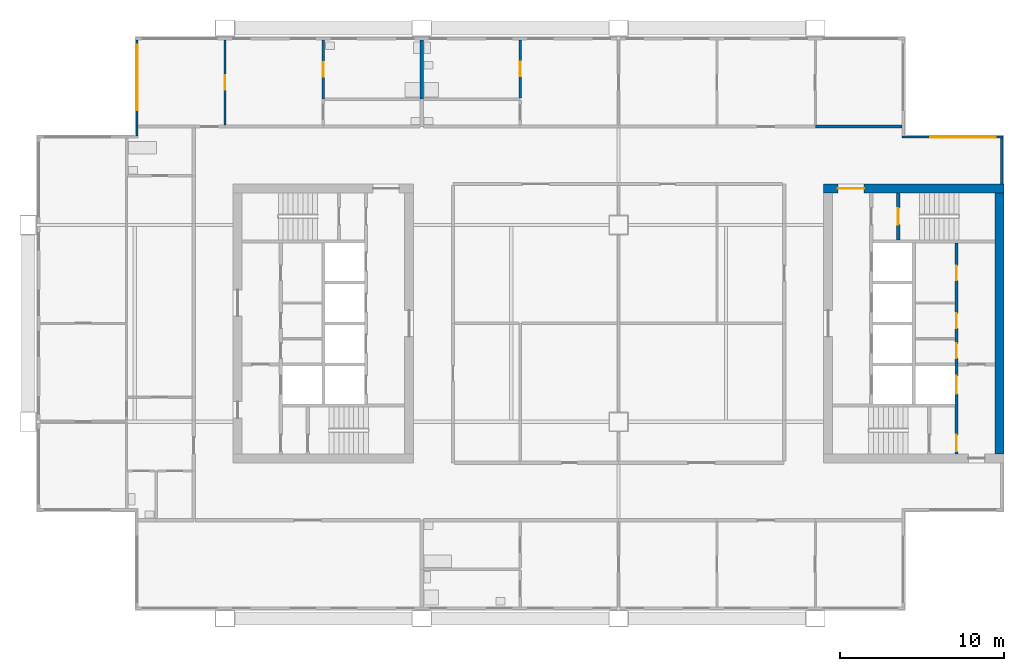
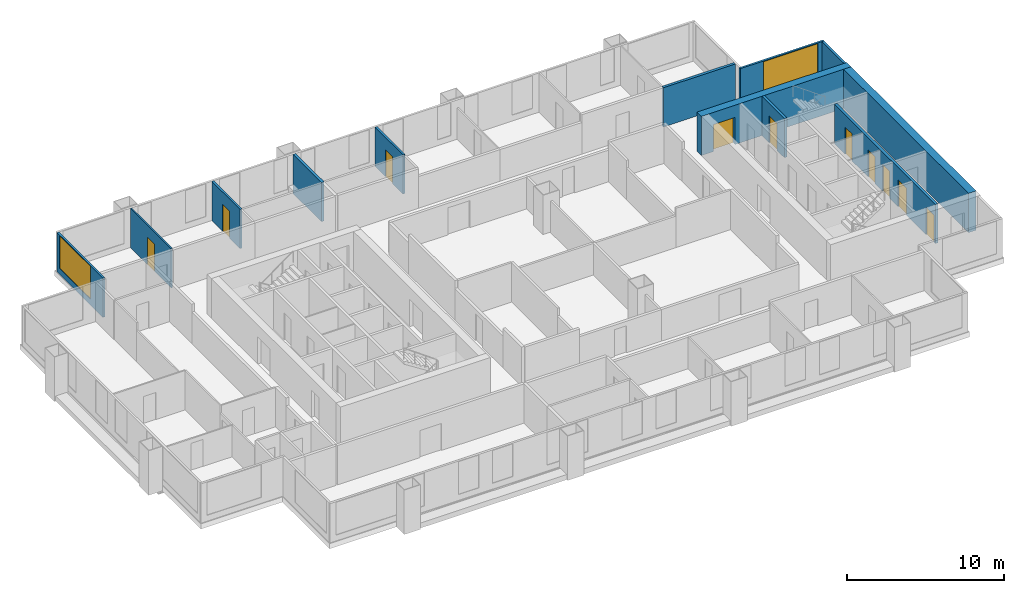
# One storey, part 6 of 9: 12 walls, 10 doors, 2 windows, 12 openings.
"""IFC4 building model written with IfcOpenShell, lengths in metres."""

from ifc_helpers import new_model, si_unit, direction, frame, frame_2d, origin, place, context, subcontext, project, spatial, rectangle, extrude, material, layer, layer_set, type_object, element, fill, save


model = new_model("IFC4")

# Units and contexts
model_context = context("Model", 3, precision=1e-05, world=origin(), true_north=direction((0.0, 1.0)))
body_context = subcontext(model_context, "Body", "Model", "MODEL_VIEW")
ifc_project = project(units=[si_unit("LENGTHUNIT", "METRE"), si_unit("AREAUNIT", "SQUARE_METRE"), si_unit("VOLUMEUNIT", "CUBIC_METRE"), si_unit("PLANEANGLEUNIT", "RADIAN"), si_unit("MASSUNIT", "GRAM", prefix="KILO")], contexts=[model_context])

# Site, building, storey
site_placement = place(None, origin())
site = spatial("IfcSite", under=ifc_project, at=site_placement, CompositionType="ELEMENT")
building_placement = place(site_placement, origin())
building = spatial("IfcBuilding", under=site, at=building_placement, Name="Kitamizu Gate Tower and Museum", CompositionType="ELEMENT")
storey_placement = place(building_placement, frame((0.0, 0.0, 206.550048828125)))
storey = spatial("IfcBuildingStorey", under=building, at=storey_placement, Name="L55", CompositionType="ELEMENT", Elevation=206.550048828125)

# Wall, opening, door
ifc_material_1 = material(Name="Concrete Fc42", Category="concrete")
ifc_layer_1 = layer(ifc_material_1, 0.550048828125)
ifc_layer_set_1 = layer_set([ifc_layer_1], Name="Concrete Fc42")
wall_type_1 = type_object("IfcWallType", Name="Core wall 550", PredefinedType="SHEAR", material=ifc_layer_set_1)
wall_1_placement = place(storey_placement, frame((59.5, 38.22509765625, 0.0), z_axis=(0.0, 0.0, 1.0), x_axis=(-1.0, 0.0, 0.0)))
wall_1 = element("IfcWall", 1, at=wall_1_placement, inside=storey, type_object=wall_type_1, Name="Core wall EN", PredefinedType="SHEAR", context=body_context, shape_type="SweptSolid", body=[
    extrude(rectangle(XDim=11.0, YDim=0.550048828125, at=frame_2d((5.5, 0.0))), origin(), (0.0, 0.0, 1.0), 3.050048828125),
])
opening_1_placement = place(wall_1_placement, frame((8.52490234375, 0.0, 0.0)))
opening_1 = element("IfcOpeningElement", 2, at=opening_1_placement, cuts=wall_1, Name="Opening L55-050", PredefinedType="OPENING", context=body_context, shape_type="SweptSolid", body=[
    extrude(rectangle(XDim=1.60009765625, YDim=2.10009765625, at=frame_2d((0.800048828125, 1.050048828125))), frame((0.0, 0.28515625, 0.0), z_axis=(0.0, -1.0, 0.0), x_axis=(1.0, 0.0, 0.0)), (0.0, 0.0, 1.0), 0.570068359375),
])
ifc_material_2 = material(Name="Timber door set", Category="wood")
door_type_1 = type_object("IfcDoorType", Name="Entrance door 1600", OperationType="DOUBLE_DOOR_SINGLE_SWING", PredefinedType="DOOR", material=ifc_material_2)
door_1_placement = place(opening_1_placement, origin())
door_1 = element("IfcDoor", 3, at=door_1_placement, inside=storey, type_object=door_type_1, Name="Lobby door L55-050", OperationType="DOUBLE_DOOR_SINGLE_SWING", OverallHeight=2.10009765625, OverallWidth=1.60009765625, PredefinedType="DOOR", context=body_context, shape_type="SweptSolid", body=[
    extrude(rectangle(XDim=1.60009765625, YDim=2.10009765625, at=frame_2d((0.800048828125, 1.050048828125))), frame((0.0, 0.02490234375, 0.0), z_axis=(0.0, -1.0, 0.0), x_axis=(1.0, 0.0, 0.0)), (0.0, 0.0, 1.0), 0.050048828125),
])
fill(opening_1, door_1)

# Wall
wall_2_placement = place(storey_placement, frame((59.22509765625, 22.050048828125, 0.0), z_axis=(0.0, 0.0, 1.0), x_axis=(0.0, 1.0, 0.0)))
element("IfcWall", 4, at=wall_2_placement, inside=storey, type_object=wall_type_1, Name="Core wall EOUT", PredefinedType="SHEAR", context=body_context, shape_type="SweptSolid", body=[
    extrude(rectangle(XDim=15.89990234375, YDim=0.550048828125, at=frame_2d((7.949951171875, 0.0))), origin(), (0.0, 0.0, 1.0), 3.050048828125),
])

# Wall, opening, door
ifc_material_3 = material(Name="Gypsum board on galvanised stud")
ifc_layer_2 = layer(ifc_material_3, 0.10009765625)
ifc_layer_set_2 = layer_set([ifc_layer_2], Name="Gypsum board on galvanised stud")
wall_type_2 = type_object("IfcWallType", Name="Partition 100 NOT RATED", PredefinedType="PARTITIONING", material=ifc_layer_set_2)
wall_3_placement = place(storey_placement, frame((12.0, 42.10009765625, 0.0), z_axis=(0.0, 0.0, 1.0), x_axis=(0.0, 1.0, 0.0)))
wall_3 = element("IfcWall", 5, at=wall_3_placement, inside=storey, type_object=wall_type_2, Name="Partition L55-014", PredefinedType="PARTITIONING", context=body_context, shape_type="SweptSolid", body=[
    extrude(rectangle(XDim=5.179931640625, YDim=0.10009765625, at=frame_2d((2.58984375, 0.0))), origin(), (0.0, 0.0, 1.0), 3.050048828125),
])
opening_2_placement = place(wall_3_placement, frame((2.139892578125, 0.0, 0.0)))
opening_2 = element("IfcOpeningElement", 6, at=opening_2_placement, cuts=wall_3, Name="Opening L55-008", PredefinedType="OPENING", context=body_context, shape_type="SweptSolid", body=[
    extrude(rectangle(XDim=0.89990234375, YDim=2.10009765625, at=frame_2d((0.449951171875, 1.050048828125))), frame((0.0, 0.06005859375, 0.0), z_axis=(0.0, -1.0, 0.0), x_axis=(1.0, 0.0, 0.0)), (0.0, 0.0, 1.0), 0.1201171875),
])
ifc_material_4 = material(Name="Timber door set", Category="wood")
door_type_2 = type_object("IfcDoorType", Name="Room door 900", OperationType="NOTDEFINED", PredefinedType="DOOR", material=ifc_material_4)
door_2_placement = place(opening_2_placement, frame((0.89990234375, 0.0, 0.0), x_axis=(-1.0, 0.0, 0.0)))
door_2 = element("IfcDoor", 7, at=door_2_placement, inside=storey, type_object=door_type_2, Name="Door L55-008", OperationType="SINGLE_SWING_LEFT", OverallHeight=2.10009765625, OverallWidth=0.89990234375, PredefinedType="DOOR", context=body_context, shape_type="SweptSolid", body=[
    extrude(rectangle(XDim=0.89990234375, YDim=2.10009765625, at=frame_2d((0.449951171875, 1.050048828125))), frame((0.0, 0.02490234375, 0.0), z_axis=(0.0, -1.0, 0.0), x_axis=(1.0, 0.0, 0.0)), (0.0, 0.0, 1.0), 0.050048828125),
])
fill(opening_2, door_2)

ifc_material_5 = material(Name="Gypsum board on galvanised stud")
ifc_layer_3 = layer(ifc_material_5, 0.14990234375)
ifc_layer_set_3 = layer_set([ifc_layer_3], Name="Gypsum board on galvanised stud")
wall_type_3 = type_object("IfcWallType", Name="Partition 150", PredefinedType="PARTITIONING", material=ifc_layer_set_3)
wall_4_placement = place(storey_placement, frame((18.0, 43.679931640625, 0.0), z_axis=(0.0, 0.0, 1.0), x_axis=(0.0, 1.0, 0.0)))
wall_4 = element("IfcWall", 8, at=wall_4_placement, inside=storey, type_object=wall_type_3, Name="Partition L55-017", PredefinedType="PARTITIONING", context=body_context, shape_type="SweptSolid", body=[
    extrude(rectangle(XDim=3.60009765625, YDim=0.14990234375, at=frame_2d((1.800048828125, 0.0))), origin(), (0.0, 0.0, 1.0), 3.050048828125),
])
opening_3_placement = place(wall_4_placement, frame((1.35009765625, 0.0, 0.0)))
opening_3 = element("IfcOpeningElement", 9, at=opening_3_placement, cuts=wall_4, Name="Opening L55-009", PredefinedType="OPENING", context=body_context, shape_type="SweptSolid", body=[
    extrude(rectangle(XDim=0.89990234375, YDim=2.10009765625, at=frame_2d((0.449951171875, 1.050048828125))), frame((0.0, 0.0849609375, 0.0), z_axis=(0.0, -1.0, 0.0), x_axis=(1.0, 0.0, 0.0)), (0.0, 0.0, 1.0), 0.169921875),
])
ifc_material_6 = material(Name="Timber door set", Category="wood")
door_type_3 = type_object("IfcDoorType", Name="Bathroom door 900", OperationType="NOTDEFINED", PredefinedType="DOOR", material=ifc_material_6)
door_3_placement = place(opening_3_placement, frame((0.89990234375, 0.0, 0.0), x_axis=(-1.0, 0.0, 0.0)))
door_3 = element("IfcDoor", 10, at=door_3_placement, inside=storey, type_object=door_type_3, Name="Bathroom door L55-009", OperationType="SINGLE_SWING_RIGHT", OverallHeight=2.10009765625, OverallWidth=0.89990234375, PredefinedType="DOOR", context=body_context, shape_type="SweptSolid", body=[
    extrude(rectangle(XDim=0.89990234375, YDim=2.10009765625, at=frame_2d((0.449951171875, 1.050048828125))), frame((0.0, 0.02490234375, 0.0), z_axis=(0.0, -1.0, 0.0), x_axis=(1.0, 0.0, 0.0)), (0.0, 0.0, 1.0), 0.050048828125),
])
fill(opening_3, door_3)

wall_5_placement = place(storey_placement, frame((30.0, 43.7548828125, 0.0), z_axis=(0.0, 0.0, 1.0), x_axis=(0.0, 1.0, 0.0)))
wall_5 = element("IfcWall", 11, at=wall_5_placement, inside=storey, type_object=wall_type_3, Name="Partition L55-025", PredefinedType="PARTITIONING", context=body_context, shape_type="SweptSolid", body=[
    extrude(rectangle(XDim=3.525146484375, YDim=0.14990234375, at=frame_2d((1.7626953125, 0.0))), origin(), (0.0, 0.0, 1.0), 3.050048828125),
])
opening_4_placement = place(wall_5_placement, frame((1.3125, 0.0, 0.0)))
opening_4 = element("IfcOpeningElement", 12, at=opening_4_placement, cuts=wall_5, Name="Opening L55-014", PredefinedType="OPENING", context=body_context, shape_type="SweptSolid", body=[
    extrude(rectangle(XDim=0.89990234375, YDim=2.10009765625, at=frame_2d((0.449951171875, 1.050048828125))), frame((0.0, 0.0849609375, 0.0), z_axis=(0.0, -1.0, 0.0), x_axis=(1.0, 0.0, 0.0)), (0.0, 0.0, 1.0), 0.169921875),
])
door_4_placement = place(opening_4_placement, origin())
door_4 = element("IfcDoor", 13, at=door_4_placement, inside=storey, type_object=door_type_3, Name="Bathroom door L55-014", OperationType="SINGLE_SWING_RIGHT", OverallHeight=2.10009765625, OverallWidth=0.89990234375, PredefinedType="DOOR", context=body_context, shape_type="SweptSolid", body=[
    extrude(rectangle(XDim=0.89990234375, YDim=2.10009765625, at=frame_2d((0.449951171875, 1.050048828125))), frame((0.0, 0.02490234375, 0.0), z_axis=(0.0, -1.0, 0.0), x_axis=(1.0, 0.0, 0.0)), (0.0, 0.0, 1.0), 0.050048828125),
])
fill(opening_4, door_4)

# Walls
ifc_material_7 = material(Name="Gypsum board on galvanised stud")
ifc_layer_4 = layer(ifc_material_7, 0.199951171875)
ifc_layer_set_4 = layer_set([ifc_layer_4], Name="Gypsum board on galvanised stud")
wall_type_4 = type_object("IfcWallType", Name="Partition 200", PredefinedType="PARTITIONING", material=ifc_layer_set_4)
wall_6_placement = place(storey_placement, frame((24.0, 43.679931640625, 0.0), z_axis=(0.0, 0.0, 1.0), x_axis=(0.0, 1.0, 0.0)))
element("IfcWall", 14, at=wall_6_placement, inside=storey, type_object=wall_type_4, Name="Partition L55-021", PredefinedType="PARTITIONING", context=body_context, shape_type="SweptSolid", body=[
    extrude(rectangle(XDim=3.60009765625, YDim=0.199951171875, at=frame_2d((1.800048828125, 0.0))), origin(), (0.0, 0.0, 1.0), 3.050048828125),
])
wall_7_placement = place(storey_placement, frame((48.0, 42.0, 0.0), z_axis=(0.0, 0.0, 1.0), x_axis=(1.0, 0.0, 0.0)))
element("IfcWall", 15, at=wall_7_placement, inside=storey, type_object=wall_type_4, Name="Partition L55-034", PredefinedType="PARTITIONING", context=body_context, shape_type="SweptSolid", body=[
    extrude(rectangle(XDim=5.280029296875, YDim=0.199951171875, at=frame_2d((2.64013671875, 0.0))), origin(), (0.0, 0.0, 1.0), 3.050048828125),
])

# Wall, openings, doors
ifc_material_8 = material(Name="Concrete Fc42", Category="concrete")
ifc_layer_5 = layer(ifc_material_8, 0.199951171875)
ifc_layer_set_5 = layer_set([ifc_layer_5], Name="Concrete Fc42")
wall_type_5 = type_object("IfcWallType", Name="Shaft wall 200", PredefinedType="SOLIDWALL", material=ifc_layer_set_5)
wall_8_placement = place(storey_placement, frame((56.60009765625, 22.050048828125, 0.0), z_axis=(0.0, 0.0, 1.0), x_axis=(0.0, 1.0, 0.0)))
wall_8 = element("IfcWall", 16, at=wall_8_placement, inside=storey, type_object=wall_type_5, Name="Shaft wall EWEST", PredefinedType="SOLIDWALL", context=body_context, shape_type="SweptSolid", body=[
    extrude(rectangle(XDim=12.849853515625, YDim=0.199951171875, at=frame_2d((6.4248046875, 0.0))), origin(), (0.0, 0.0, 1.0), 3.050048828125),
])
opening_5_placement = place(wall_8_placement, frame((3.64990234375, 0.0, 0.0)))
opening_5 = element("IfcOpeningElement", 17, at=opening_5_placement, cuts=wall_8, Name="Opening LD", PredefinedType="OPENING", context=body_context, shape_type="SweptSolid", body=[
    extrude(rectangle(XDim=1.10009765625, YDim=2.10009765625, at=frame_2d((0.550048828125, 1.050048828125))), frame((0.0, 0.10986328125, 0.0), z_axis=(0.0, -1.0, 0.0), x_axis=(1.0, 0.0, 0.0)), (0.0, 0.0, 1.0), 0.219970703125),
])
opening_6_placement = place(wall_8_placement, frame((0.14990234375, 0.0, 0.0)))
opening_6 = element("IfcOpeningElement", 18, at=opening_6_placement, cuts=wall_8, Name="Opening L55-045", PredefinedType="OPENING", context=body_context, shape_type="SweptSolid", body=[
    extrude(rectangle(XDim=1.0, YDim=2.10009765625, at=frame_2d((0.5, 1.050048828125))), frame((0.0, 0.10986328125, 0.0), z_axis=(0.0, -1.0, 0.0), x_axis=(1.0, 0.0, 0.0)), (0.0, 0.0, 1.0), 0.219970703125),
])
opening_7_placement = place(wall_8_placement, frame((5.830078125, 0.0, 0.0)))
opening_7 = element("IfcOpeningElement", 19, at=opening_7_placement, cuts=wall_8, Name="Opening L55-052", PredefinedType="OPENING", context=body_context, shape_type="SweptSolid", body=[
    extrude(rectangle(XDim=0.89990234375, YDim=2.10009765625, at=frame_2d((0.449951171875, 1.050048828125))), frame((0.0, 0.10986328125, 0.0), z_axis=(0.0, -1.0, 0.0), x_axis=(1.0, 0.0, 0.0)), (0.0, 0.0, 1.0), 0.219970703125),
])
opening_8_placement = place(wall_8_placement, frame((7.655029296875, 0.0, 0.0)))
opening_8 = element("IfcOpeningElement", 20, at=opening_8_placement, cuts=wall_8, Name="Opening L55-053", PredefinedType="OPENING", context=body_context, shape_type="SweptSolid", body=[
    extrude(rectangle(XDim=0.89990234375, YDim=2.10009765625, at=frame_2d((0.449951171875, 1.050048828125))), frame((0.0, 0.10986328125, 0.0), z_axis=(0.0, -1.0, 0.0), x_axis=(1.0, 0.0, 0.0)), (0.0, 0.0, 1.0), 0.219970703125),
])
opening_9_placement = place(wall_8_placement, frame((10.574951171875, 0.0, 0.0)))
opening_9 = element("IfcOpeningElement", 21, at=opening_9_placement, cuts=wall_8, Name="Opening L55-054", PredefinedType="OPENING", context=body_context, shape_type="SweptSolid", body=[
    extrude(rectangle(XDim=0.89990234375, YDim=2.10009765625, at=frame_2d((0.449951171875, 1.050048828125))), frame((0.0, 0.10986328125, 0.0), z_axis=(0.0, -1.0, 0.0), x_axis=(1.0, 0.0, 0.0)), (0.0, 0.0, 1.0), 0.219970703125),
])
ifc_material_9 = material(Name="Hollow metal door set")
door_type_4 = type_object("IfcDoorType", Name="Fire door 1000", OperationType="NOTDEFINED", PredefinedType="DOOR", material=ifc_material_9)
door_5_placement = place(opening_6_placement, origin())
door_5 = element("IfcDoor", 22, at=door_5_placement, inside=storey, type_object=door_type_4, Name="Stair lobby door L55-045", OperationType="SINGLE_SWING_RIGHT", OverallHeight=2.10009765625, OverallWidth=1.0, PredefinedType="DOOR", context=body_context, shape_type="SweptSolid", body=[
    extrude(rectangle(XDim=1.0, YDim=2.10009765625, at=frame_2d((0.5, 1.050048828125))), frame((0.0, 0.02490234375, 0.0), z_axis=(0.0, -1.0, 0.0), x_axis=(1.0, 0.0, 0.0)), (0.0, 0.0, 1.0), 0.050048828125),
])
fill(opening_6, door_5)
ifc_material_10 = material(Name="Hollow metal door set")
door_type_5 = type_object("IfcDoorType", Name="Landing door 1100", OperationType="SLIDING_TO_LEFT", PredefinedType="DOOR", material=ifc_material_10)
door_6_placement = place(opening_5_placement, origin())
door_6 = element("IfcDoor", 23, at=door_6_placement, inside=storey, type_object=door_type_5, Name="Landing door EFF1", OperationType="SLIDING_TO_LEFT", OverallHeight=2.10009765625, OverallWidth=1.10009765625, PredefinedType="DOOR", context=body_context, shape_type="SweptSolid", body=[
    extrude(rectangle(XDim=1.10009765625, YDim=2.10009765625, at=frame_2d((0.550048828125, 1.050048828125))), frame((0.0, 0.02490234375, 0.0), z_axis=(0.0, -1.0, 0.0), x_axis=(1.0, 0.0, 0.0)), (0.0, 0.0, 1.0), 0.050048828125),
])
fill(opening_5, door_6)
ifc_material_11 = material(Name="Timber door set", Category="wood")
door_type_6 = type_object("IfcDoorType", Name="Service door 900", OperationType="NOTDEFINED", PredefinedType="DOOR", material=ifc_material_11)
door_7_placement = place(opening_7_placement, origin())
door_7 = element("IfcDoor", 24, at=door_7_placement, inside=storey, type_object=door_type_6, Name="Service door L55-052", OperationType="SINGLE_SWING_RIGHT", OverallHeight=2.10009765625, OverallWidth=0.89990234375, PredefinedType="DOOR", context=body_context, shape_type="SweptSolid", body=[
    extrude(rectangle(XDim=0.89990234375, YDim=2.10009765625, at=frame_2d((0.449951171875, 1.050048828125))), frame((0.0, 0.02490234375, 0.0), z_axis=(0.0, -1.0, 0.0), x_axis=(1.0, 0.0, 0.0)), (0.0, 0.0, 1.0), 0.050048828125),
])
fill(opening_7, door_7)
door_8_placement = place(opening_8_placement, origin())
door_8 = element("IfcDoor", 25, at=door_8_placement, inside=storey, type_object=door_type_6, Name="Service door L55-053", OperationType="SINGLE_SWING_LEFT", OverallHeight=2.10009765625, OverallWidth=0.89990234375, PredefinedType="DOOR", context=body_context, shape_type="SweptSolid", body=[
    extrude(rectangle(XDim=0.89990234375, YDim=2.10009765625, at=frame_2d((0.449951171875, 1.050048828125))), frame((0.0, 0.02490234375, 0.0), z_axis=(0.0, -1.0, 0.0), x_axis=(1.0, 0.0, 0.0)), (0.0, 0.0, 1.0), 0.050048828125),
])
fill(opening_8, door_8)
door_9_placement = place(opening_9_placement, origin())
door_9 = element("IfcDoor", 26, at=door_9_placement, inside=storey, type_object=door_type_6, Name="Service door L55-054", OperationType="SINGLE_SWING_RIGHT", OverallHeight=2.10009765625, OverallWidth=0.89990234375, PredefinedType="DOOR", context=body_context, shape_type="SweptSolid", body=[
    extrude(rectangle(XDim=0.89990234375, YDim=2.10009765625, at=frame_2d((0.449951171875, 1.050048828125))), frame((0.0, 0.02490234375, 0.0), z_axis=(0.0, -1.0, 0.0), x_axis=(1.0, 0.0, 0.0)), (0.0, 0.0, 1.0), 0.050048828125),
])
fill(opening_9, door_9)

# Wall, opening, door
wall_9_placement = place(storey_placement, frame((53.050048828125, 35.10009765625, 0.0), z_axis=(0.0, 0.0, 1.0), x_axis=(0.0, 1.0, 0.0)))
wall_9 = element("IfcWall", 27, at=wall_9_placement, inside=storey, type_object=wall_type_5, Name="Shaft wall ENZ", PredefinedType="SOLIDWALL", context=body_context, shape_type="SweptSolid", body=[
    extrude(rectangle(XDim=2.849853515625, YDim=0.199951171875, at=frame_2d((1.4248046875, 0.0))), origin(), (0.0, 0.0, 1.0), 3.050048828125),
])
opening_10_placement = place(wall_9_placement, frame((0.925048828125, 0.0, 0.0)))
opening_10 = element("IfcOpeningElement", 28, at=opening_10_placement, cuts=wall_9, Name="Opening L55-047", PredefinedType="OPENING", context=body_context, shape_type="SweptSolid", body=[
    extrude(rectangle(XDim=1.0, YDim=2.10009765625, at=frame_2d((0.5, 1.050048828125))), frame((0.0, 0.10986328125, 0.0), z_axis=(0.0, -1.0, 0.0), x_axis=(1.0, 0.0, 0.0)), (0.0, 0.0, 1.0), 0.219970703125),
])
door_10_placement = place(opening_10_placement, frame((1.0, 0.0, 0.0), x_axis=(-1.0, 0.0, 0.0)))
door_10 = element("IfcDoor", 29, at=door_10_placement, inside=storey, type_object=door_type_4, Name="Stair door L55-047", OperationType="SINGLE_SWING_RIGHT", OverallHeight=2.10009765625, OverallWidth=1.0, PredefinedType="DOOR", context=body_context, shape_type="SweptSolid", body=[
    extrude(rectangle(XDim=1.0, YDim=2.10009765625, at=frame_2d((0.5, 1.050048828125))), frame((0.0, 0.02490234375, 0.0), z_axis=(0.0, -1.0, 0.0), x_axis=(1.0, 0.0, 0.0)), (0.0, 0.0, 1.0), 0.050048828125),
])
fill(opening_10, door_10)

# Wall
ifc_material_12 = material(Name="Bronze anodised aluminium frame with insulated spandrel and tinted glass", Category="aluminium")
ifc_layer_6 = layer(ifc_material_12, 0.14990234375)
ifc_layer_set_6 = layer_set([ifc_layer_6], Name="Bronze anodised aluminium frame with insulated spandrel and tinted glass")
wall_type_6 = type_object("IfcWallType", Name="WINDOW WALL 150 BRONZE FRAME EI 30", PredefinedType="ELEMENTEDWALL", material=ifc_layer_set_6)
wall_10_placement = place(storey_placement, frame((59.364990234375, 38.5, 0.0), z_axis=(0.0, 0.0, 1.0), x_axis=(0.0, 1.0, 0.0)))
element("IfcWall", 30, at=wall_10_placement, inside=storey, type_object=wall_type_6, Name="Window wall east L55", PredefinedType="ELEMENTEDWALL", context=body_context, shape_type="SweptSolid", body=[
    extrude(rectangle(XDim=2.7900390625, YDim=0.14990234375, at=frame_2d((1.39501953125, 0.0))), origin(), (0.0, 0.0, 1.0), 3.050048828125),
])

# Wall, opening, window
wall_11_placement = place(storey_placement, frame((53.2900390625, 41.364990234375, 0.0), z_axis=(0.0, 0.0, 1.0), x_axis=(1.0, 0.0, 0.0)))
wall_11 = element("IfcWall", 31, at=wall_11_placement, inside=storey, type_object=wall_type_6, Name="Window wall north L55", PredefinedType="ELEMENTEDWALL", context=body_context, shape_type="SweptSolid", body=[
    extrude(rectangle(XDim=6.14990234375, YDim=0.14990234375, at=frame_2d((3.074951171875, 0.0))), origin(), (0.0, 0.0, 1.0), 3.050048828125),
])
opening_11_placement = place(wall_11_placement, frame((1.7099609375, 0.0, 0.449951171875)))
opening_11 = element("IfcOpeningElement", 32, at=opening_11_placement, cuts=wall_11, Name="Opening W16", PredefinedType="OPENING", context=body_context, shape_type="SweptSolid", body=[
    extrude(rectangle(XDim=4.0, YDim=2.550048828125, at=frame_2d((2.0, 1.27490234375))), frame((0.0, 0.0849609375, 0.0), z_axis=(0.0, -1.0, 0.0), x_axis=(1.0, 0.0, 0.0)), (0.0, 0.0, 1.0), 0.169921875),
])
ifc_material_13 = material(Name="Bronze anodised aluminium frame, tinted triple glazing", Category="aluminium")
window_type = type_object("IfcWindowType", Name="WINDOW 4000 x 2550 SILL 450", PartitioningType="SINGLE_PANEL", PredefinedType="WINDOW", material=ifc_material_13)
window_1_placement = place(opening_11_placement, origin())
window_1 = element("IfcWindow", 33, at=window_1_placement, inside=storey, type_object=window_type, Name="Window W16 L55", OverallHeight=2.550048828125, OverallWidth=4.0, PartitioningType="SINGLE_PANEL", PredefinedType="WINDOW", context=body_context, shape_type="SweptSolid", body=[
    extrude(rectangle(XDim=4.0, YDim=2.550048828125, at=frame_2d((2.0, 1.27490234375))), frame((0.0, 0.030029296875, 0.0), z_axis=(0.0, -1.0, 0.0), x_axis=(1.0, 0.0, 0.0)), (0.0, 0.0, 1.0), 0.06005859375),
])
fill(opening_11, window_1)

wall_12_placement = place(storey_placement, frame((6.635009765625, 41.43994140625, 0.0), z_axis=(0.0, 0.0, 1.0), x_axis=(0.0, 1.0, 0.0)))
wall_12 = element("IfcWall", 34, at=wall_12_placement, inside=storey, type_object=wall_type_6, Name="Window wall west L55", PredefinedType="ELEMENTEDWALL", context=body_context, shape_type="SweptSolid", body=[
    extrude(rectangle(XDim=5.85009765625, YDim=0.14990234375, at=frame_2d((2.925048828125, 0.0))), origin(), (0.0, 0.0, 1.0), 3.050048828125),
])
opening_12_placement = place(wall_12_placement, frame((1.56005859375, 0.0, 0.449951171875)))
opening_12 = element("IfcOpeningElement", 35, at=opening_12_placement, cuts=wall_12, Name="Opening W16", PredefinedType="OPENING", context=body_context, shape_type="SweptSolid", body=[
    extrude(rectangle(XDim=4.0, YDim=2.550048828125, at=frame_2d((2.0, 1.27490234375))), frame((0.0, 0.0849609375, 0.0), z_axis=(0.0, -1.0, 0.0), x_axis=(1.0, 0.0, 0.0)), (0.0, 0.0, 1.0), 0.169921875),
])
window_2_placement = place(opening_12_placement, origin())
window_2 = element("IfcWindow", 36, at=window_2_placement, inside=storey, type_object=window_type, Name="Window W16 L55", OverallHeight=2.550048828125, OverallWidth=4.0, PartitioningType="SINGLE_PANEL", PredefinedType="WINDOW", context=body_context, shape_type="SweptSolid", body=[
    extrude(rectangle(XDim=4.0, YDim=2.550048828125, at=frame_2d((2.0, 1.27490234375))), frame((0.0, 0.030029296875, 0.0), z_axis=(0.0, -1.0, 0.0), x_axis=(1.0, 0.0, 0.0)), (0.0, 0.0, 1.0), 0.06005859375),
])
fill(opening_12, window_2)

save(model, "model.ifc")
